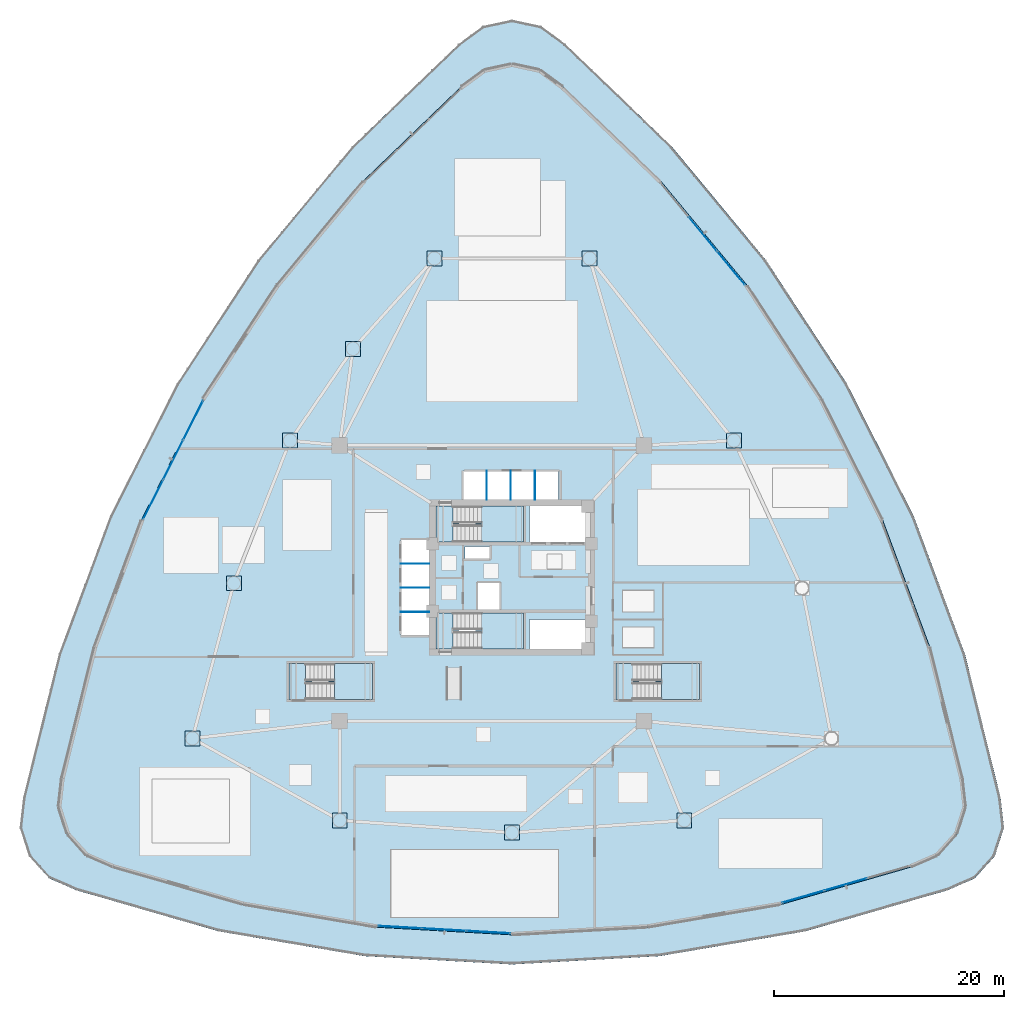
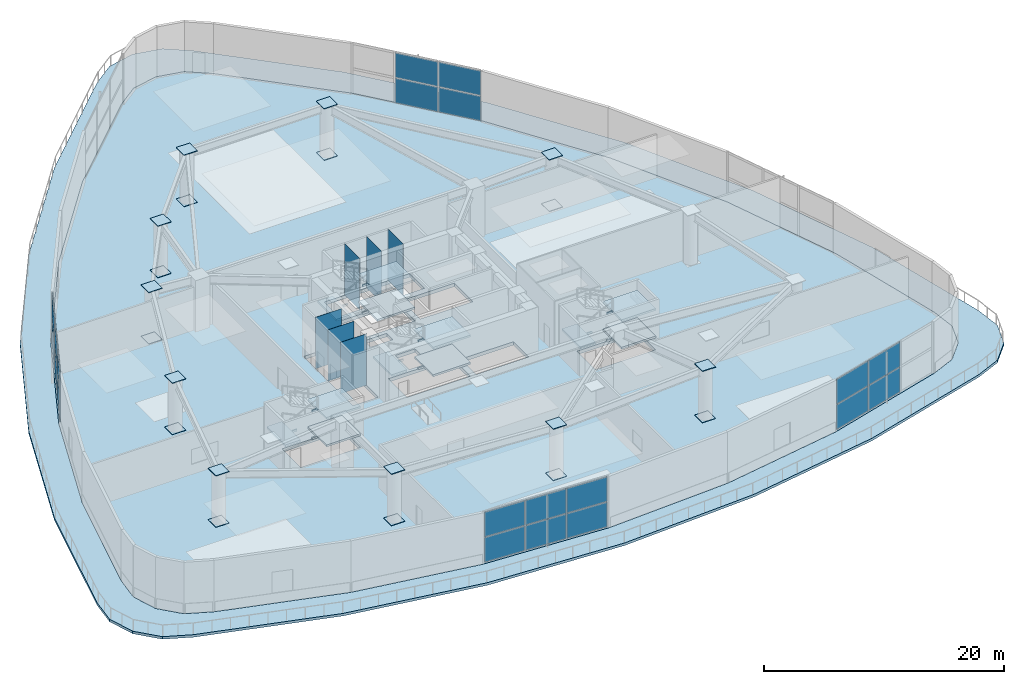
# One storey, part 11 of 26: 46 plates, 14 slabs, 8 elements without a shape of their own.
"""IFC4 building model written with IfcOpenShell, lengths in metres."""

from ifc_helpers import new_model, si_unit, direction, frame, origin, origin_2d, place, context, subcontext, project, spatial, polyline, rectangle, outline, extrude, source, transform, mapped, material, layer, layer_set, type_object, type_shapes, element, aggregate, save


model = new_model("IFC4")

# Units and contexts
model_context = context("Model", 3, precision=1e-05, world=origin(), true_north=direction((0.0, 1.0)))
body_context = subcontext(model_context, "Body", "Model", "MODEL_VIEW")
ifc_project = project(units=[si_unit("LENGTHUNIT", "METRE"), si_unit("AREAUNIT", "SQUARE_METRE"), si_unit("VOLUMEUNIT", "CUBIC_METRE"), si_unit("PLANEANGLEUNIT", "RADIAN"), si_unit("MASSUNIT", "GRAM", prefix="KILO")], contexts=[model_context])

# Site, building, storey
site_placement = place(None, origin())
site = spatial("IfcSite", under=ifc_project, at=site_placement, CompositionType="ELEMENT")
building_placement = place(site_placement, origin())
building = spatial("IfcBuilding", under=site, at=building_placement, Name="Tavelor Broadcast Tower", CompositionType="ELEMENT")
storey_placement = place(building_placement, frame((0.0, 0.0, 5.800048828125)))
storey = spatial("IfcBuildingStorey", under=building, at=storey_placement, Name="L01", CompositionType="ELEMENT", Elevation=5.800048828125)

# Slabs
ifc_material_1 = material(Name="Concrete C40/50", Category="concrete")
ifc_layer_1 = layer(ifc_material_1, 0.260009765625)
ifc_layer_set_1 = layer_set([ifc_layer_1], Name="Concrete C40/50")
slab_type_1 = type_object("IfcSlabType", Name="Cascading Planted Terrace Roof Slab 260 mm", PredefinedType="ROOF", material=ifc_layer_set_1)
slab_1_placement = place(storey_placement, frame((0.0, 0.0, -0.260009765625)))
element("IfcSlab", 1, at=slab_1_placement, inside=storey, type_object=slab_type_1, Name="L01 Cascading Planted Garden Terrace Slab 1", PredefinedType="ROOF", context=body_context, shape_type="SweptSolid", body=[
    extrude(outline(polyline([(54.650634765625, 91.400146484375), (52.551513671875, 92.95068359375), (50.0, 93.5), (47.448486328125, 92.95068359375), (45.349365234375, 91.400146484375), (36.090087890625, 82.483642578125), (27.88818359375, 72.5859375), (20.846435546875, 61.831787109375), (15.053955078125, 50.3564453125), (10.583251953125, 38.304443359375), (7.490966796875, 25.827392578125), (7.19775390625, 23.234130859375), (7.997802734375, 20.75), (9.749267578125, 18.815185546875), (12.1416015625, 17.772216796875), (24.4931640625, 14.2119140625), (37.165771484375, 12.0576171875), (50.0, 11.33642578125), (62.834228515625, 12.0576171875), (75.5068359375, 14.2119140625), (87.8583984375, 17.772216796875), (90.250732421875, 18.815185546875), (92.002197265625, 20.75), (92.80224609375, 23.234130859375), (92.509033203125, 25.827392578125), (89.416748046875, 38.304443359375), (84.946044921875, 50.3564453125), (79.153564453125, 61.831787109375), (72.11181640625, 72.5859375), (63.909912109375, 82.483642578125), (54.650634765625, 91.400146484375)]), holes=[polyline([(54.4501953125, 87.66943359375), (62.943603515625, 79.490478515625), (70.467529296875, 70.4111328125), (76.927001953125, 60.546142578125), (82.240478515625, 50.019775390625), (86.34130859375, 38.96435546875), (89.177978515625, 27.519287109375), (89.458740234375, 25.035888671875), (88.693603515625, 22.66015625), (87.018798828125, 20.809814453125), (84.727783203125, 19.811279296875), (73.397705078125, 16.545166015625), (61.77294921875, 14.569091796875), (50.0, 13.907470703125), (38.22705078125, 14.569091796875), (26.602294921875, 16.545166015625), (15.272216796875, 19.811279296875), (12.981201171875, 20.809814453125), (11.306396484375, 22.66015625), (10.541259765625, 25.035888671875), (10.822021484375, 27.519287109375), (13.65869140625, 38.96435546875), (17.759521484375, 50.019775390625), (23.072998046875, 60.546142578125), (29.532470703125, 70.4111328125), (37.056396484375, 79.490478515625), (45.5498046875, 87.66943359375), (47.559814453125, 89.154296875), (50.0, 89.679443359375), (52.440185546875, 89.154296875), (54.4501953125, 87.66943359375)])]), origin(), (0.0, 0.0, 1.0), 0.260009765625),
])
ifc_layer_2 = layer(ifc_material_1, 0.35009765625)
ifc_layer_set_2 = layer_set([ifc_layer_2], Name="Concrete C40/50")
slab_type_2 = type_object("IfcSlabType", Name="Podium Structural Floor Slab 350 mm", PredefinedType="FLOOR", material=ifc_layer_set_2)
slab_2_placement = place(storey_placement, frame((0.0, 0.0, -0.35009765625)))
element("IfcSlab", 2, at=slab_2_placement, inside=storey, type_object=slab_type_2, Name="L01 Structural Floor Slab", PredefinedType="FLOOR", context=body_context, shape_type="SweptSolid", body=[
    extrude(outline(polyline([(54.463134765625, 87.684814453125), (52.448486328125, 89.1728515625), (50.0, 89.699951171875), (47.551513671875, 89.1728515625), (45.536865234375, 87.684814453125), (37.041748046875, 79.50390625), (29.516357421875, 70.423095703125), (23.055908203125, 60.55615234375), (17.7412109375, 50.02783203125), (13.639404296875, 38.97021484375), (10.80224609375, 27.522705078125), (10.52099609375, 25.033935546875), (11.288818359375, 22.64990234375), (12.969482421875, 20.793212890625), (15.265380859375, 19.79248046875), (26.597900390625, 16.525634765625), (38.224853515625, 14.54931640625), (50.0, 13.887451171875), (61.775146484375, 14.54931640625), (73.402099609375, 16.525634765625), (84.734619140625, 19.79248046875), (87.030517578125, 20.793212890625), (88.711181640625, 22.64990234375), (89.47900390625, 25.033935546875), (89.19775390625, 27.522705078125), (86.360595703125, 38.97021484375), (82.2587890625, 50.02783203125), (76.944091796875, 60.55615234375), (70.483642578125, 70.423095703125), (62.958251953125, 79.50390625), (54.463134765625, 87.684814453125)]), holes=[polyline([(37.845947265625, 34.404052734375), (32.053955078125, 34.404052734375), (32.053955078125, 37.49609375), (37.845947265625, 37.49609375), (37.845947265625, 34.404052734375)]), polyline([(66.2958984375, 34.404052734375), (60.50390625, 34.404052734375), (60.50390625, 37.49609375), (66.2958984375, 37.49609375), (66.2958984375, 34.404052734375)]), polyline([(56.60009765625, 38.800048828125), (51.52001953125, 38.800048828125), (51.52001953125, 41.35009765625), (56.60009765625, 41.35009765625), (56.60009765625, 38.800048828125)]), polyline([(44.85400390625, 38.803955078125), (44.85400390625, 41.89599609375), (50.99609375, 41.89599609375), (50.99609375, 38.803955078125), (44.85400390625, 38.803955078125)]), polyline([(47.050048828125, 44.550048828125), (48.949951171875, 44.550048828125), (48.949951171875, 42.199951171875), (47.050048828125, 42.199951171875), (47.050048828125, 44.550048828125)]), polyline([(40.35009765625, 40.0), (40.35009765625, 48.25), (42.800048828125, 48.25), (42.800048828125, 40.0), (40.35009765625, 40.0)]), polyline([(48.050048828125, 46.64990234375), (45.89990234375, 46.64990234375), (45.89990234375, 47.699951171875), (48.050048828125, 47.699951171875), (48.050048828125, 46.64990234375)]), polyline([(50.99609375, 48.10400390625), (44.85400390625, 48.10400390625), (44.85400390625, 51.196044921875), (50.99609375, 51.196044921875), (50.99609375, 48.10400390625)]), polyline([(51.52001953125, 48.10009765625), (51.52001953125, 51.199951171875), (56.60009765625, 51.199951171875), (56.60009765625, 48.10009765625), (51.52001953125, 48.10009765625)]), polyline([(45.800048828125, 51.800048828125), (45.800048828125, 54.25), (54.050048828125, 54.25), (54.050048828125, 51.800048828125), (45.800048828125, 51.800048828125)])]), origin(), (0.0, 0.0, 1.0), 0.35009765625),
])

# Stair, slabs
stair_type = type_object("IfcStairType", Name="Reinforced Concrete Protected Dogleg Stair 1450 mm", PredefinedType="HALF_TURN_STAIR", material=ifc_material_1)
stair_1_placement = place(storey_placement, origin())
stair_1 = element("IfcStair", 3, at=stair_1_placement, inside=storey, type_object=stair_type, Name="L01 Protected Core Exit Stair ST1", PredefinedType="HALF_TURN_STAIR")
ifc_layer_3 = layer(ifc_material_1, 0.199951171875)
ifc_layer_set_3 = layer_set([ifc_layer_3], Name="Concrete C40/50")
slab_type_3 = type_object("IfcSlabType", Name="Reinforced Concrete Stair Half-Landing Slab 200 mm", PredefinedType="LANDING", material=ifc_layer_set_3)
slab_3_placement = place(storey_placement, frame((0.0, 0.0, 1.199951171875)))
slab_3 = element("IfcSlab", 4, at=slab_3_placement, type_object=slab_type_3, Name="ST1 landing 1", PredefinedType="LANDING", context=body_context, shape_type="SweptSolid", body=[
    extrude(outline(polyline([(47.364990234375, 49.590087890625), (47.364990234375, 48.094970703125), (51.0048828125, 48.094970703125), (51.0048828125, 51.205078125), (47.364990234375, 51.205078125), (47.364990234375, 49.7099609375), (46.824951171875, 49.7099609375), (46.824951171875, 49.590087890625), (47.364990234375, 49.590087890625)])), origin(), (0.0, 0.0, 1.0), 0.199951171875),
])
slab_4_placement = place(storey_placement, frame((0.0, 0.0, 2.599853515625)))
slab_4 = element("IfcSlab", 5, at=slab_4_placement, type_object=slab_type_3, Name="ST1 landing 2", PredefinedType="LANDING", context=body_context, shape_type="SweptSolid", body=[
    extrude(outline(polyline([(43.39501953125, 48.094970703125), (44.85498046875, 48.094970703125), (44.85498046875, 49.590087890625), (45.39501953125, 49.590087890625), (45.39501953125, 49.7099609375), (44.85498046875, 49.7099609375), (44.85498046875, 51.205078125), (43.39501953125, 51.205078125), (43.39501953125, 48.094970703125)])), origin(), (0.0, 0.0, 1.0), 0.2001953125),
])
slab_5_placement = place(storey_placement, frame((0.0, 0.0, 4.0)))
slab_5 = element("IfcSlab", 6, at=slab_5_placement, type_object=slab_type_3, Name="ST1 landing 3", PredefinedType="LANDING", context=body_context, shape_type="SweptSolid", body=[
    extrude(outline(polyline([(47.364990234375, 49.590087890625), (47.364990234375, 48.094970703125), (51.0048828125, 48.094970703125), (51.0048828125, 51.205078125), (47.364990234375, 51.205078125), (47.364990234375, 49.7099609375), (46.824951171875, 49.7099609375), (46.824951171875, 49.590087890625), (47.364990234375, 49.590087890625)])), origin(), (0.0, 0.0, 1.0), 0.199951171875),
])
aggregate(stair_1, [slab_3, slab_4, slab_5])

stair_2_placement = place(storey_placement, origin())
stair_2 = element("IfcStair", 7, at=stair_2_placement, inside=storey, type_object=stair_type, Name="L01 Protected Core Exit Stair ST2", PredefinedType="HALF_TURN_STAIR")
slab_6_placement = place(storey_placement, frame((0.0, 0.0, 1.199951171875)))
slab_6 = element("IfcSlab", 8, at=slab_6_placement, type_object=slab_type_3, Name="ST2 landing 1", PredefinedType="LANDING", context=body_context, shape_type="SweptSolid", body=[
    extrude(outline(polyline([(47.364990234375, 40.2900390625), (47.364990234375, 38.794921875), (51.0048828125, 38.794921875), (51.0048828125, 41.905029296875), (47.364990234375, 41.905029296875), (47.364990234375, 40.409912109375), (46.824951171875, 40.409912109375), (46.824951171875, 40.2900390625), (47.364990234375, 40.2900390625)])), origin(), (0.0, 0.0, 1.0), 0.199951171875),
])
slab_7_placement = place(storey_placement, frame((0.0, 0.0, 2.599853515625)))
slab_7 = element("IfcSlab", 9, at=slab_7_placement, type_object=slab_type_3, Name="ST2 landing 2", PredefinedType="LANDING", context=body_context, shape_type="SweptSolid", body=[
    extrude(outline(polyline([(43.39501953125, 38.794921875), (44.85498046875, 38.794921875), (44.85498046875, 40.2900390625), (45.39501953125, 40.2900390625), (45.39501953125, 40.409912109375), (44.85498046875, 40.409912109375), (44.85498046875, 41.905029296875), (43.39501953125, 41.905029296875), (43.39501953125, 38.794921875)])), origin(), (0.0, 0.0, 1.0), 0.2001953125),
])
slab_8_placement = place(storey_placement, frame((0.0, 0.0, 4.0)))
slab_8 = element("IfcSlab", 10, at=slab_8_placement, type_object=slab_type_3, Name="ST2 landing 3", PredefinedType="LANDING", context=body_context, shape_type="SweptSolid", body=[
    extrude(outline(polyline([(47.364990234375, 40.2900390625), (47.364990234375, 38.794921875), (51.0048828125, 38.794921875), (51.0048828125, 41.905029296875), (47.364990234375, 41.905029296875), (47.364990234375, 40.409912109375), (46.824951171875, 40.409912109375), (46.824951171875, 40.2900390625), (47.364990234375, 40.2900390625)])), origin(), (0.0, 0.0, 1.0), 0.199951171875),
])
aggregate(stair_2, [slab_6, slab_7, slab_8])

stair_3_placement = place(storey_placement, origin())
stair_3 = element("IfcStair", 11, at=stair_3_placement, inside=storey, type_object=stair_type, Name="L01 Podium West Exit Stair ST3", PredefinedType="HALF_TURN_STAIR")
slab_9_placement = place(storey_placement, frame((0.0, 0.0, 1.199951171875)))
slab_9 = element("IfcSlab", 12, at=slab_9_placement, type_object=slab_type_3, Name="ST3 landing 1", PredefinedType="LANDING", context=body_context, shape_type="SweptSolid", body=[
    extrude(outline(polyline([(34.56494140625, 35.889892578125), (34.56494140625, 34.39501953125), (37.85498046875, 34.39501953125), (37.85498046875, 37.5048828125), (34.56494140625, 37.5048828125), (34.56494140625, 36.010009765625), (34.02490234375, 36.010009765625), (34.02490234375, 35.889892578125), (34.56494140625, 35.889892578125)])), origin(), (0.0, 0.0, 1.0), 0.199951171875),
])
slab_10_placement = place(storey_placement, frame((0.0, 0.0, 2.599853515625)))
slab_10 = element("IfcSlab", 13, at=slab_10_placement, type_object=slab_type_3, Name="ST3 landing 2", PredefinedType="LANDING", context=body_context, shape_type="SweptSolid", body=[
    extrude(outline(polyline([(30.594970703125, 34.39501953125), (32.054931640625, 34.39501953125), (32.054931640625, 35.889892578125), (32.594970703125, 35.889892578125), (32.594970703125, 36.010009765625), (32.054931640625, 36.010009765625), (32.054931640625, 37.5048828125), (30.594970703125, 37.5048828125), (30.594970703125, 34.39501953125)])), origin(), (0.0, 0.0, 1.0), 0.2001953125),
])
slab_11_placement = place(storey_placement, frame((0.0, 0.0, 4.0)))
slab_11 = element("IfcSlab", 14, at=slab_11_placement, type_object=slab_type_3, Name="ST3 landing 3", PredefinedType="LANDING", context=body_context, shape_type="SweptSolid", body=[
    extrude(outline(polyline([(34.56494140625, 35.889892578125), (34.56494140625, 34.39501953125), (37.85498046875, 34.39501953125), (37.85498046875, 37.5048828125), (34.56494140625, 37.5048828125), (34.56494140625, 36.010009765625), (34.02490234375, 36.010009765625), (34.02490234375, 35.889892578125), (34.56494140625, 35.889892578125)])), origin(), (0.0, 0.0, 1.0), 0.199951171875),
])
aggregate(stair_3, [slab_9, slab_10, slab_11])

stair_4_placement = place(storey_placement, origin())
stair_4 = element("IfcStair", 15, at=stair_4_placement, inside=storey, type_object=stair_type, Name="L01 Podium East Exit Stair ST4", PredefinedType="HALF_TURN_STAIR")
slab_12_placement = place(storey_placement, frame((0.0, 0.0, 1.199951171875)))
slab_12 = element("IfcSlab", 16, at=slab_12_placement, type_object=slab_type_3, Name="ST4 landing 1", PredefinedType="LANDING", context=body_context, shape_type="SweptSolid", body=[
    extrude(outline(polyline([(63.014892578125, 35.889892578125), (63.014892578125, 34.39501953125), (66.304931640625, 34.39501953125), (66.304931640625, 37.5048828125), (63.014892578125, 37.5048828125), (63.014892578125, 36.010009765625), (62.47509765625, 36.010009765625), (62.47509765625, 35.889892578125), (63.014892578125, 35.889892578125)])), origin(), (0.0, 0.0, 1.0), 0.199951171875),
])
slab_13_placement = place(storey_placement, frame((0.0, 0.0, 2.599853515625)))
slab_13 = element("IfcSlab", 17, at=slab_13_placement, type_object=slab_type_3, Name="ST4 landing 2", PredefinedType="LANDING", context=body_context, shape_type="SweptSolid", body=[
    extrude(outline(polyline([(59.044921875, 34.39501953125), (60.5048828125, 34.39501953125), (60.5048828125, 35.889892578125), (61.044921875, 35.889892578125), (61.044921875, 36.010009765625), (60.5048828125, 36.010009765625), (60.5048828125, 37.5048828125), (59.044921875, 37.5048828125), (59.044921875, 34.39501953125)])), origin(), (0.0, 0.0, 1.0), 0.2001953125),
])
slab_14_placement = place(storey_placement, frame((0.0, 0.0, 4.0)))
slab_14 = element("IfcSlab", 18, at=slab_14_placement, type_object=slab_type_3, Name="ST4 landing 3", PredefinedType="LANDING", context=body_context, shape_type="SweptSolid", body=[
    extrude(outline(polyline([(63.014892578125, 35.889892578125), (63.014892578125, 34.39501953125), (66.304931640625, 34.39501953125), (66.304931640625, 37.5048828125), (63.014892578125, 37.5048828125), (63.014892578125, 36.010009765625), (62.47509765625, 36.010009765625), (62.47509765625, 35.889892578125), (63.014892578125, 35.889892578125)])), origin(), (0.0, 0.0, 1.0), 0.199951171875),
])
aggregate(stair_4, [slab_12, slab_13, slab_14])

# Plates
ifc_material_2 = material(Name="Steel S460", Category="steel")
ifc_layer_4 = layer(ifc_material_2, 0.050048828125)
ifc_layer_set_4 = layer_set([ifc_layer_4], Name="Steel S460")
plate_type_1 = type_object("IfcPlateType", Name="Tube Hollow-End Cap Plate KN05 700x700x50", PredefinedType="USERDEFINED", material=ifc_layer_set_4)
shared_shape_1 = source(origin(), body_context, "Body", "SweptSolid", [
    extrude(rectangle(XDim=1.299072265625, YDim=1.299072265625, at=origin_2d()), origin(), (0.0, 0.0, 1.0), 0.054931640625),
])
type_shapes(plate_type_1, [shared_shape_1])
for number, where, z_axis, x_axis, name in (
    (19, (43.247314453125, 72.7509765625, -0.02734375), (0.0, 0.0, 1.0), (1.0, 0.0, 0.0), "L01 Hollow End Cap Plate KN05 #93"),
    (20, (43.247314453125, 72.7509765625, 5.22265625), (0.0, 0.0, 1.0), (1.0, 0.0, 0.0), "L01 Hollow End Cap Plate KN05 #94"),
    (21, (36.170166015625, 64.893310546875, -0.02734375), (0.0, 0.0, 1.0), (1.0, 0.0, 0.0), "L01 Hollow End Cap Plate KN05 #95"),
    (22, (36.170166015625, 64.893310546875, 5.22265625), (0.0, 0.0, 1.0), (1.0, 0.0, 0.0), "L01 Hollow End Cap Plate KN05 #96"),
    (23, (30.69921875, 56.9111328125, -0.02734375), (0.0, 0.0, 1.0), (1.0, 0.0, 0.0), "L01 Hollow End Cap Plate KN05 #97"),
    (24, (30.69921875, 56.9111328125, 5.22265625), (0.0, 0.0, 1.0), (1.0, 0.0, 0.0), "L01 Hollow End Cap Plate KN05 #98"),
    (25, (25.800048828125, 44.5, -0.02734375), (0.0, 0.0, 1.0), (1.0, 0.0, 0.0), "L01 Hollow End Cap Plate KN05 #99"),
    (26, (25.800048828125, 44.5, 5.22265625), (0.0, 0.0, 1.0), (1.0, 0.0, 0.0), "L01 Hollow End Cap Plate KN05 #100"),
    (27, (22.199951171875, 31.0, -0.02734375), (0.0, 0.0, 1.0), (1.0, 0.0, 0.0), "L01 Hollow End Cap Plate KN05 #101"),
    (28, (22.199951171875, 31.0, 5.22265625), (0.0, 0.0, 1.0), (1.0, 0.0, 0.0), "L01 Hollow End Cap Plate KN05 #102"),
    (29, (35.01220703125, 23.87109375, -0.02734375), (0.0, 0.0, 1.0), (1.0, 0.0, 0.0), "L01 Hollow End Cap Plate KN05 #103"),
    (30, (35.01220703125, 23.87109375, 5.22265625), (0.0, 0.0, 1.0), (1.0, 0.0, 0.0), "L01 Hollow End Cap Plate KN05 #104"),
    (31, (50.0, 22.800048828125, -0.02734375), (0.0, 0.0, 1.0), (1.0, 0.0, 0.0), "L01 Hollow End Cap Plate KN05 #105"),
    (32, (50.0, 22.800048828125, 5.22265625), (0.0, 0.0, 1.0), (1.0, 0.0, 0.0), "L01 Hollow End Cap Plate KN05 #106"),
    (33, (64.98779296875, 23.87109375, -0.02734375), (0.0, 0.0, 1.0), (1.0, 0.0, 0.0), "L01 Hollow End Cap Plate KN05 #107"),
    (34, (64.98779296875, 23.87109375, 5.22265625), (0.0, 0.0, 1.0), (1.0, 0.0, 0.0), "L01 Hollow End Cap Plate KN05 #108"),
    (35, (69.30078125, 56.9111328125, -0.02734375), (0.0, 0.0, 1.0), (1.0, 0.0, 0.0), "L01 Hollow End Cap Plate KN05 #113"),
    (36, (69.30078125, 56.9111328125, 5.22265625), (0.0, 0.0, 1.0), (1.0, 0.0, 0.0), "L01 Hollow End Cap Plate KN05 #114"),
    (37, (56.752685546875, 72.7509765625, -0.02734375), (0.0, 0.0, 1.0), (1.0, 0.0, 0.0), "L01 Hollow End Cap Plate KN05 #115"),
    (38, (56.752685546875, 72.7509765625, 5.22265625), (0.0, 0.0, 1.0), (1.0, 0.0, 0.0), "L01 Hollow End Cap Plate KN05 #116"),
):
    element("IfcPlate", number, at=place(storey_placement, frame(where, z_axis=z_axis, x_axis=x_axis)), inside=storey, type_object=plate_type_1, Name=name, ObjectType="CAP PLATE", PredefinedType="USERDEFINED", context=body_context, shape_type="MappedRepresentation", body=[
        mapped(shared_shape_1, transform((0.0, 0.0, 0.0), scale=1.0)),
    ])
ifc_material_3 = material(Name="Steel S355", Category="steel")
ifc_layer_5 = layer(ifc_material_3, 0.011962890625)
ifc_layer_set_5 = layer_set([ifc_layer_5], Name="Steel S355")
plate_type_2 = type_object("IfcPlateType", Name="Hoistway Steel Separator Screen 12 mm", PredefinedType="SHEET", material=ifc_layer_set_5)
shared_shape_2 = source(origin(), body_context, "Body", "SweptSolid", [
    extrude(rectangle(XDim=2.52001953125, YDim=0.02001953125, at=origin_2d()), origin(), (0.0, 0.0, 1.0), 5.25),
])
for number, where, z_axis, x_axis, name in (
    (39, (41.56005859375, 42.0, 0.0), (0.0, 0.0, 1.0), (1.0, 0.0, 0.0), "L01 Low-Rise Hoistway Separator Screen 1"),
    (40, (41.56005859375, 44.10009765625, 0.0), (0.0, 0.0, 1.0), (1.0, 0.0, 0.0), "L01 Low-Rise Hoistway Separator Screen 2"),
    (41, (41.56005859375, 46.199951171875, 0.0), (0.0, 0.0, 1.0), (1.0, 0.0, 0.0), "L01 Low-Rise Hoistway Separator Screen 3"),
):
    element("IfcPlate", number, at=place(storey_placement, frame(where, z_axis=z_axis, x_axis=x_axis)), inside=storey, type_object=plate_type_2, Name=name, PredefinedType="SHEET", context=body_context, shape_type="MappedRepresentation", body=[
        mapped(shared_shape_2, transform((0.0, 0.0, 0.0), scale=1.0)),
    ])
shared_shape_3 = source(origin(), body_context, "Body", "SweptSolid", [
    extrude(rectangle(XDim=0.02001953125, YDim=2.52001953125, at=origin_2d()), origin(), (0.0, 0.0, 1.0), 5.25),
])
type_shapes(plate_type_2, [shared_shape_2, shared_shape_3])
for number, where, z_axis, x_axis, name in (
    (42, (47.800048828125, 53.0400390625, 0.0), (0.0, 0.0, 1.0), (1.0, 0.0, 0.0), "L01 High-Rise Hoistway Separator Screen 1"),
    (43, (49.89990234375, 53.0400390625, 0.0), (0.0, 0.0, 1.0), (1.0, 0.0, 0.0), "L01 High-Rise Hoistway Separator Screen 2"),
    (44, (52.0, 53.0400390625, 0.0), (0.0, 0.0, 1.0), (1.0, 0.0, 0.0), "L01 High-Rise Hoistway Separator Screen 3"),
):
    element("IfcPlate", number, at=place(storey_placement, frame(where, z_axis=z_axis, x_axis=x_axis)), inside=storey, type_object=plate_type_2, Name=name, PredefinedType="SHEET", context=body_context, shape_type="MappedRepresentation", body=[
        mapped(shared_shape_3, transform((0.0, 0.0, 0.0), scale=1.0)),
    ])

# Curtain wall, plates
ifc_material_4 = material(Name="Architectural Anodized Aluminium", Category="aluminium")
ifc_layer_6 = layer(ifc_material_4, 0.219970703125)
ifc_layer_set_6 = layer_set([ifc_layer_6], Name="Architectural Anodized Aluminium")
curtain_wall_type = type_object("IfcCurtainWallType", Name="Podium Double-Height Broadcast Curtain Wall CW01", PredefinedType="NOTDEFINED", material=ifc_layer_set_6)
curtain_wall_1_placement = place(storey_placement, origin())
curtain_wall_1 = element("IfcCurtainWall", 45, at=curtain_wall_1_placement, inside=storey, type_object=curtain_wall_type, Name="L01 Curtain Wall CW01 Run 4", PredefinedType="NOTDEFINED")
ifc_material_5 = material(Name="Solar Low-E Laminated Glazing 32 mm", Category="glass")
ifc_layer_7 = layer(ifc_material_5, 0.031982421875)
ifc_layer_set_7 = layer_set([ifc_layer_7], Name="Solar Low-E Laminated Glazing 32 mm")
plate_type_3 = type_object("IfcPlateType", Name="CW01 Insulated Vision Glazing Panel 32 mm", PredefinedType="CURTAIN_PANEL", material=ifc_layer_set_7)
shared_shape_4 = source(origin(), body_context, "Body", "SweptSolid", [
    extrude(rectangle(XDim=3.759765625, YDim=0.031982421875, at=origin_2d()), origin(), (0.0, 0.0, 1.0), 2.512451171875),
])
plate_1_placement = place(storey_placement, frame((75.326171875, 17.22607421875, 0.0751953125), z_axis=(0.0, 0.0, 1.0), x_axis=(0.960875506247, 0.276980615737, 0.0)))
plate_1 = element("IfcPlate", 46, at=plate_1_placement, type_object=plate_type_3, Name="CW01 panel 1.1", PredefinedType="CURTAIN_PANEL", context=body_context, shape_type="MappedRepresentation", body=[
    mapped(shared_shape_4, transform((0.0, 0.0, 0.0), scale=1.0)),
])
plate_2_placement = place(storey_placement, frame((75.326171875, 17.22607421875, 2.66259765625), z_axis=(0.0, 0.0, 1.0), x_axis=(0.960875506247, 0.276980615737, 0.0)))
plate_2 = element("IfcPlate", 47, at=plate_2_placement, type_object=plate_type_3, Name="CW01 panel 1.2", PredefinedType="CURTAIN_PANEL", context=body_context, shape_type="MappedRepresentation", body=[
    mapped(shared_shape_4, transform((0.0, 0.0, 0.0), scale=1.0)),
])
shared_shape_5 = source(origin(), body_context, "Body", "SweptSolid", [
    extrude(rectangle(XDim=3.797119140625, YDim=0.031982421875, at=origin_2d()), origin(), (0.0, 0.0, 1.0), 2.512451171875),
])
plate_3_placement = place(storey_placement, frame((79.029052734375, 18.29345703125, 0.0751953125), z_axis=(0.0, 0.0, 1.0), x_axis=(0.960875506247, 0.276980615737, 0.0)))
plate_3 = element("IfcPlate", 48, at=plate_3_placement, type_object=plate_type_3, Name="CW01 panel 2.1", PredefinedType="CURTAIN_PANEL", context=body_context, shape_type="MappedRepresentation", body=[
    mapped(shared_shape_5, transform((0.0, 0.0, 0.0), scale=1.0)),
])
plate_4_placement = place(storey_placement, frame((79.029052734375, 18.29345703125, 2.66259765625), z_axis=(0.0, 0.0, 1.0), x_axis=(0.960875506247, 0.276980615737, 0.0)))
plate_4 = element("IfcPlate", 49, at=plate_4_placement, type_object=plate_type_3, Name="CW01 panel 2.2", PredefinedType="CURTAIN_PANEL", context=body_context, shape_type="MappedRepresentation", body=[
    mapped(shared_shape_5, transform((0.0, 0.0, 0.0), scale=1.0)),
])
aggregate(curtain_wall_1, [plate_1, plate_2, plate_3, plate_4])

curtain_wall_2_placement = place(storey_placement, origin())
curtain_wall_2 = element("IfcCurtainWall", 50, at=curtain_wall_2_placement, inside=storey, type_object=curtain_wall_type, Name="L01 Curtain Wall CW01 Run 2", PredefinedType="NOTDEFINED")
shared_shape_6 = source(origin(), body_context, "Body", "SweptSolid", [
    extrude(rectangle(XDim=3.76025390625, YDim=0.031982421875, at=origin_2d()), origin(), (0.0, 0.0, 1.0), 2.512451171875),
])
plate_5_placement = place(storey_placement, frame((22.26025390625, 58.66943359375, 0.0751953125), z_axis=(0.0, 0.0, 1.0), x_axis=(-0.450629167617, -0.892711237351, 0.0)))
plate_5 = element("IfcPlate", 51, at=plate_5_placement, type_object=plate_type_3, Name="CW01 panel 1.1", PredefinedType="CURTAIN_PANEL", context=body_context, shape_type="MappedRepresentation", body=[
    mapped(shared_shape_6, transform((0.0, 0.0, 0.0), scale=1.0)),
])
plate_6_placement = place(storey_placement, frame((22.26025390625, 58.66943359375, 2.66259765625), z_axis=(0.0, 0.0, 1.0), x_axis=(-0.450629167617, -0.892711237351, 0.0)))
plate_6 = element("IfcPlate", 52, at=plate_6_placement, type_object=plate_type_3, Name="CW01 panel 1.2", PredefinedType="CURTAIN_PANEL", context=body_context, shape_type="MappedRepresentation", body=[
    mapped(shared_shape_6, transform((0.0, 0.0, 0.0), scale=1.0)),
])
plate_7_placement = place(storey_placement, frame((18.786865234375, 51.78857421875, 0.0751953125), z_axis=(0.0, 0.0, 1.0), x_axis=(-0.450629167617, -0.892711237351, 0.0)))
plate_7 = element("IfcPlate", 53, at=plate_7_placement, type_object=plate_type_3, Name="CW01 panel 3.1", PredefinedType="CURTAIN_PANEL", context=body_context, shape_type="MappedRepresentation", body=[
    mapped(shared_shape_6, transform((0.0, 0.0, 0.0), scale=1.0)),
])
plate_8_placement = place(storey_placement, frame((18.786865234375, 51.78857421875, 2.66259765625), z_axis=(0.0, 0.0, 1.0), x_axis=(-0.450629167617, -0.892711237351, 0.0)))
plate_8 = element("IfcPlate", 54, at=plate_8_placement, type_object=plate_type_3, Name="CW01 panel 3.2", PredefinedType="CURTAIN_PANEL", context=body_context, shape_type="MappedRepresentation", body=[
    mapped(shared_shape_6, transform((0.0, 0.0, 0.0), scale=1.0)),
])

curtain_wall_3_placement = place(storey_placement, origin())
curtain_wall_3 = element("IfcCurtainWall", 55, at=curtain_wall_3_placement, inside=storey, type_object=curtain_wall_type, Name="L01 Curtain Wall CW01 Run 3", PredefinedType="NOTDEFINED")
plate_9_placement = place(storey_placement, frame((40.2724609375, 14.57421875, 0.0751953125), z_axis=(0.0, 0.0, 1.0), x_axis=(0.998425008396, -0.056102607872, 0.0)))
plate_9 = element("IfcPlate", 56, at=plate_9_placement, type_object=plate_type_3, Name="CW01 panel 1.1", PredefinedType="CURTAIN_PANEL", context=body_context, shape_type="MappedRepresentation", body=[
    mapped(shared_shape_6, transform((0.0, 0.0, 0.0), scale=1.0)),
])
plate_10_placement = place(storey_placement, frame((40.2724609375, 14.57421875, 2.66259765625), z_axis=(0.0, 0.0, 1.0), x_axis=(0.998425008396, -0.056102607872, 0.0)))
plate_10 = element("IfcPlate", 57, at=plate_10_placement, type_object=plate_type_3, Name="CW01 panel 1.2", PredefinedType="CURTAIN_PANEL", context=body_context, shape_type="MappedRepresentation", body=[
    mapped(shared_shape_6, transform((0.0, 0.0, 0.0), scale=1.0)),
])
plate_11_placement = place(storey_placement, frame((47.968017578125, 14.141845703125, 0.0751953125), z_axis=(0.0, 0.0, 1.0), x_axis=(0.998425008396, -0.056102607872, 0.0)))
plate_11 = element("IfcPlate", 58, at=plate_11_placement, type_object=plate_type_3, Name="CW01 panel 3.1", PredefinedType="CURTAIN_PANEL", context=body_context, shape_type="MappedRepresentation", body=[
    mapped(shared_shape_6, transform((0.0, 0.0, 0.0), scale=1.0)),
])
plate_12_placement = place(storey_placement, frame((47.968017578125, 14.141845703125, 2.66259765625), z_axis=(0.0, 0.0, 1.0), x_axis=(0.998425008396, -0.056102607872, 0.0)))
plate_12 = element("IfcPlate", 59, at=plate_12_placement, type_object=plate_type_3, Name="CW01 panel 3.2", PredefinedType="CURTAIN_PANEL", context=body_context, shape_type="MappedRepresentation", body=[
    mapped(shared_shape_6, transform((0.0, 0.0, 0.0), scale=1.0)),
])

curtain_wall_4_placement = place(storey_placement, origin())
curtain_wall_4 = element("IfcCurtainWall", 60, at=curtain_wall_4_placement, inside=storey, type_object=curtain_wall_type, Name="L01 Curtain Wall CW01 Run 6", PredefinedType="NOTDEFINED")
plate_13_placement = place(storey_placement, frame((69.072265625, 71.90673828125, 0.0751953125), z_axis=(0.0, 0.0, 1.0), x_axis=(-0.638070503, 0.769977943321, 0.0)))
plate_13 = element("IfcPlate", 61, at=plate_13_placement, type_object=plate_type_3, Name="CW01 panel 1.1", PredefinedType="CURTAIN_PANEL", context=body_context, shape_type="MappedRepresentation", body=[
    mapped(shared_shape_6, transform((0.0, 0.0, 0.0), scale=1.0)),
])
plate_14_placement = place(storey_placement, frame((69.072265625, 71.90673828125, 2.66259765625), z_axis=(0.0, 0.0, 1.0), x_axis=(-0.638070503, 0.769977943321, 0.0)))
plate_14 = element("IfcPlate", 62, at=plate_14_placement, type_object=plate_type_3, Name="CW01 panel 1.2", PredefinedType="CURTAIN_PANEL", context=body_context, shape_type="MappedRepresentation", body=[
    mapped(shared_shape_6, transform((0.0, 0.0, 0.0), scale=1.0)),
])

# Plate
shared_shape_7 = source(origin(), body_context, "Body", "SweptSolid", [
    extrude(rectangle(XDim=3.797607421875, YDim=0.031982421875, at=origin_2d()), origin(), (0.0, 0.0, 1.0), 2.512451171875),
])
type_shapes(plate_type_3, [shared_shape_4, shared_shape_5, shared_shape_6, shared_shape_7])
plate_15_placement = place(storey_placement, frame((20.5234375, 55.22900390625, 0.0751953125), z_axis=(0.0, 0.0, 1.0), x_axis=(-0.450629167617, -0.892711237351, 0.0)))
plate_15 = element("IfcPlate", 63, at=plate_15_placement, type_object=plate_type_3, Name="CW01 panel 2.1", PredefinedType="CURTAIN_PANEL", context=body_context, shape_type="MappedRepresentation", body=[
    mapped(shared_shape_7, transform((0.0, 0.0, 0.0), scale=1.0)),
])

plate_16_placement = place(storey_placement, frame((20.5234375, 55.22900390625, 2.66259765625), z_axis=(0.0, 0.0, 1.0), x_axis=(-0.450629167617, -0.892711237351, 0.0)))
plate_16 = element("IfcPlate", 64, at=plate_16_placement, type_object=plate_type_3, Name="CW01 panel 2.2", PredefinedType="CURTAIN_PANEL", context=body_context, shape_type="MappedRepresentation", body=[
    mapped(shared_shape_7, transform((0.0, 0.0, 0.0), scale=1.0)),
])

aggregate(curtain_wall_2, [plate_5, plate_6, plate_15, plate_16, plate_7, plate_8])

plate_17_placement = place(storey_placement, frame((44.120361328125, 14.358154296875, 0.0751953125), z_axis=(0.0, 0.0, 1.0), x_axis=(0.998425008396, -0.056102607872, 0.0)))
plate_17 = element("IfcPlate", 65, at=plate_17_placement, type_object=plate_type_3, Name="CW01 panel 2.1", PredefinedType="CURTAIN_PANEL", context=body_context, shape_type="MappedRepresentation", body=[
    mapped(shared_shape_7, transform((0.0, 0.0, 0.0), scale=1.0)),
])

plate_18_placement = place(storey_placement, frame((44.120361328125, 14.358154296875, 2.66259765625), z_axis=(0.0, 0.0, 1.0), x_axis=(0.998425008396, -0.056102607872, 0.0)))
plate_18 = element("IfcPlate", 66, at=plate_18_placement, type_object=plate_type_3, Name="CW01 panel 2.2", PredefinedType="CURTAIN_PANEL", context=body_context, shape_type="MappedRepresentation", body=[
    mapped(shared_shape_7, transform((0.0, 0.0, 0.0), scale=1.0)),
])

aggregate(curtain_wall_3, [plate_9, plate_10, plate_17, plate_18, plate_11, plate_12])

plate_19_placement = place(storey_placement, frame((66.613037109375, 74.874267578125, 0.0751953125), z_axis=(0.0, 0.0, 1.0), x_axis=(-0.638070503, 0.769977943321, 0.0)))
plate_19 = element("IfcPlate", 67, at=plate_19_placement, type_object=plate_type_3, Name="CW01 panel 2.1", PredefinedType="CURTAIN_PANEL", context=body_context, shape_type="MappedRepresentation", body=[
    mapped(shared_shape_7, transform((0.0, 0.0, 0.0), scale=1.0)),
])

plate_20_placement = place(storey_placement, frame((66.613037109375, 74.874267578125, 2.66259765625), z_axis=(0.0, 0.0, 1.0), x_axis=(-0.638070503, 0.769977943321, 0.0)))
plate_20 = element("IfcPlate", 68, at=plate_20_placement, type_object=plate_type_3, Name="CW01 panel 2.2", PredefinedType="CURTAIN_PANEL", context=body_context, shape_type="MappedRepresentation", body=[
    mapped(shared_shape_7, transform((0.0, 0.0, 0.0), scale=1.0)),
])

aggregate(curtain_wall_4, [plate_13, plate_14, plate_19, plate_20])

save(model, "model.ifc")
